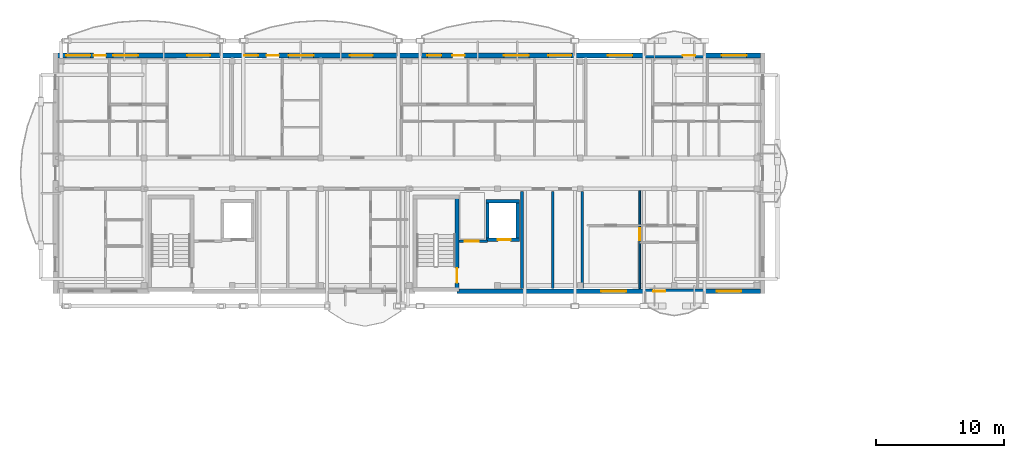
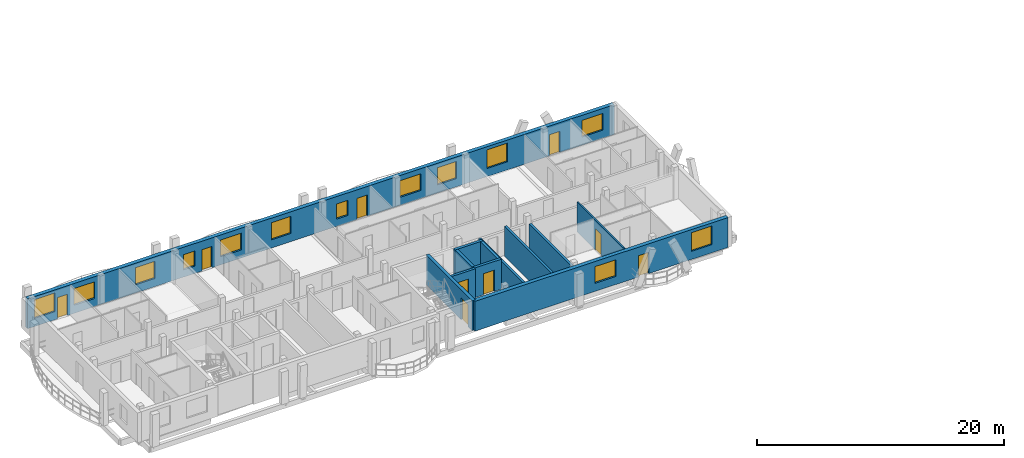
# One storey, part 22 of 44: 13 windows, 12 walls, 9 doors, 22 openings.
"""IFC4 building model written with IfcOpenShell, lengths in metres."""

from ifc_helpers import new_model, si_unit, direction, frame, frame_2d, origin, origin_with_axes, place, context, subcontext, project, spatial, rectangle, extrude, material, layer, layer_set, type_object, element, fill, save


model = new_model("IFC4")

# Units and contexts
model_context = context("Model", 3, precision=1e-05, world=origin(), true_north=direction((0.0, 1.0)))
body_context = subcontext(model_context, "Body", "Model", "MODEL_VIEW")
ifc_project = project(units=[si_unit("LENGTHUNIT", "METRE"), si_unit("AREAUNIT", "SQUARE_METRE"), si_unit("VOLUMEUNIT", "CUBIC_METRE"), si_unit("PLANEANGLEUNIT", "RADIAN"), si_unit("MASSUNIT", "GRAM", prefix="KILO")], contexts=[model_context])

# Site, building, storey
site_placement = place(None, origin())
site = spatial("IfcSite", under=ifc_project, at=site_placement, CompositionType="ELEMENT")
building_placement = place(site_placement, origin())
building = spatial("IfcBuilding", under=site, at=building_placement, Name="Zavelmont Quarter", CompositionType="ELEMENT")
storey_placement = place(building_placement, frame((0.0, 0.0, 20.800048828125)))
storey = spatial("IfcBuildingStorey", under=building, at=storey_placement, Name="L06", CompositionType="ELEMENT", Elevation=20.800048828125)

# Wall, openings, door, windows
ifc_material_1 = material(Name="Natural Belgian limestone", Category="masonry")
ifc_layer_1 = layer(ifc_material_1, 0.360107421875)
ifc_layer_set_1 = layer_set([ifc_layer_1], Name="Natural Belgian limestone")
wall_type_1 = type_object("IfcWallType", Name="EW02", PredefinedType="STANDARD", material=ifc_layer_set_1)
wall_1_placement = place(storey_placement, frame((31.35009765625, 97.60009765625, 0.0), z_axis=(0.0, 0.0, 1.0), x_axis=(1.0, 0.0, 0.0)))
wall_1 = element("IfcWall", 1, at=wall_1_placement, inside=storey, type_object=wall_type_1, Name="L06 exterior limestone wall EW02", PredefinedType="STANDARD", context=body_context, shape_type="SweptSolid", body=[
    extrude(rectangle(XDim=23.679931640625, YDim=0.360107421875, at=frame_2d((11.83984375, 0.0))), origin(), (0.0, 0.0, 1.0), 2.949951171875),
])
opening_1_placement = place(wall_1_placement, frame((15.304443359375, 0.0, 0.0)))
opening_1 = element("IfcOpeningElement", 2, at=opening_1_placement, cuts=wall_1, Name="Opening DR04", PredefinedType="OPENING", context=body_context, shape_type="SweptSolid", body=[
    extrude(rectangle(XDim=0.949951171875, YDim=2.10009765625, at=frame_2d((0.47509765625, 1.050048828125))), frame((0.0, 0.19189453125, 0.0), z_axis=(0.0, -1.0, 0.0), x_axis=(1.0, 0.0, 0.0)), (0.0, 0.0, 1.0), 0.384033203125),
])
opening_2_placement = place(wall_1_placement, frame((11.2451171875, 0.0, 0.800048828125)))
opening_2 = element("IfcOpeningElement", 3, at=opening_2_placement, cuts=wall_1, Name="Opening WN24", PredefinedType="OPENING", context=body_context, shape_type="SweptSolid", body=[
    extrude(rectangle(XDim=1.949951171875, YDim=1.64990234375, at=frame_2d((0.97509765625, 0.824951171875))), frame((0.0, 0.19189453125, 0.0), z_axis=(0.0, -1.0, 0.0), x_axis=(1.0, 0.0, 0.0)), (0.0, 0.0, 1.0), 0.384033203125),
])
opening_3_placement = place(wall_1_placement, frame((20.27001953125, 0.0, 0.800048828125)))
opening_3 = element("IfcOpeningElement", 4, at=opening_3_placement, cuts=wall_1, Name="Opening WN20", PredefinedType="OPENING", context=body_context, shape_type="SweptSolid", body=[
    extrude(rectangle(XDim=1.89990234375, YDim=1.85009765625, at=frame_2d((0.949951171875, 0.925048828125))), frame((0.0, 0.19189453125, 0.0), z_axis=(0.0, -1.0, 0.0), x_axis=(1.0, 0.0, 0.0)), (0.0, 0.0, 1.0), 0.384033203125),
])
ifc_material_2 = material(Name="Thermally broken aluminium and double safety glass", Category="aluminium")
door_type_1 = type_object("IfcDoorType", Name="DR04", OperationType="NOTDEFINED", PredefinedType="DOOR", material=ifc_material_2)
door_1_placement = place(opening_1_placement, origin_with_axes())
door_1 = element("IfcDoor", 5, at=door_1_placement, inside=storey, type_object=door_type_1, Name="Block B L06 glazed balcony door", OperationType="SINGLE_SWING_RIGHT", OverallHeight=2.10009765625, OverallWidth=0.949951171875, PredefinedType="DOOR", context=body_context, shape_type="SweptSolid", body=[
    extrude(rectangle(XDim=0.949951171875, YDim=2.10009765625, at=frame_2d((0.47509765625, 1.050048828125))), frame((0.0, 0.02490234375, 0.0), z_axis=(0.0, -1.0, 0.0), x_axis=(1.0, 0.0, 0.0)), (0.0, 0.0, 1.0), 0.050048828125),
])
fill(opening_1, door_1)
ifc_material_3 = material(Name="Double low-E insulated glazing in thermally broken aluminium frame", Category="aluminium")
window_type_1 = type_object("IfcWindowType", Name="WN20", PartitioningType="SINGLE_PANEL", PredefinedType="WINDOW", material=ifc_material_3)
window_1_placement = place(opening_3_placement, origin_with_axes())
window_1 = element("IfcWindow", 6, at=window_1_placement, inside=storey, type_object=window_type_1, Name="L06 window WN20", OverallHeight=1.85009765625, OverallWidth=1.89990234375, PartitioningType="SINGLE_PANEL", PredefinedType="WINDOW", context=body_context, shape_type="SweptSolid", body=[
    extrude(rectangle(XDim=1.89990234375, YDim=1.85009765625, at=frame_2d((0.949951171875, 0.925048828125))), frame((0.0, 0.030029296875, 0.0), z_axis=(0.0, -1.0, 0.0), x_axis=(1.0, 0.0, 0.0)), (0.0, 0.0, 1.0), 0.06005859375),
])
fill(opening_3, window_1)
window_type_2 = type_object("IfcWindowType", Name="WN24", PartitioningType="SINGLE_PANEL", PredefinedType="WINDOW", material=ifc_material_3)
window_2_placement = place(opening_2_placement, origin_with_axes())
window_2 = element("IfcWindow", 7, at=window_2_placement, inside=storey, type_object=window_type_2, Name="L06 window WN24", OverallHeight=1.64990234375, OverallWidth=1.949951171875, PartitioningType="SINGLE_PANEL", PredefinedType="WINDOW", context=body_context, shape_type="SweptSolid", body=[
    extrude(rectangle(XDim=1.949951171875, YDim=1.64990234375, at=frame_2d((0.97509765625, 0.824951171875))), frame((0.0, 0.030029296875, 0.0), z_axis=(0.0, -1.0, 0.0), x_axis=(1.0, 0.0, 0.0)), (0.0, 0.0, 1.0), 0.06005859375),
])
fill(opening_2, window_2)

# Wall, openings, doors, windows
wall_2_placement = place(storey_placement, frame((0.169921875, 116.0, 0.0), z_axis=(0.0, 0.0, 1.0), x_axis=(1.0, 0.0, 0.0)))
wall_2 = element("IfcWall", 8, at=wall_2_placement, inside=storey, type_object=wall_type_1, Name="L06 exterior limestone wall EW02", PredefinedType="STANDARD", context=body_context, shape_type="SweptSolid", body=[
    extrude(rectangle(XDim=54.860107421875, YDim=0.360107421875, at=frame_2d((27.43017578125, 0.0))), origin(), (0.0, 0.0, 1.0), 2.949951171875),
])
opening_4_placement = place(wall_2_placement, frame((2.804443359375, 0.0, 0.0)))
opening_4 = element("IfcOpeningElement", 9, at=opening_4_placement, cuts=wall_2, Name="Opening DR04", PredefinedType="OPENING", context=body_context, shape_type="SweptSolid", body=[
    extrude(rectangle(XDim=0.949951171875, YDim=2.10009765625, at=frame_2d((0.47509765625, 1.050048828125))), frame((0.0, 0.19189453125, 0.0), z_axis=(0.0, -1.0, 0.0), x_axis=(1.0, 0.0, 0.0)), (0.0, 0.0, 1.0), 0.384033203125),
])
opening_5_placement = place(wall_2_placement, frame((16.304443359375, 0.0, 0.0)))
opening_5 = element("IfcOpeningElement", 10, at=opening_5_placement, cuts=wall_2, Name="Opening DR04", PredefinedType="OPENING", context=body_context, shape_type="SweptSolid", body=[
    extrude(rectangle(XDim=0.949951171875, YDim=2.10009765625, at=frame_2d((0.47509765625, 1.050048828125))), frame((0.0, 0.19189453125, 0.0), z_axis=(0.0, -1.0, 0.0), x_axis=(1.0, 0.0, 0.0)), (0.0, 0.0, 1.0), 0.384033203125),
])
opening_6_placement = place(wall_2_placement, frame((30.804443359375, 0.0, 0.0)))
opening_6 = element("IfcOpeningElement", 11, at=opening_6_placement, cuts=wall_2, Name="Opening DR04", PredefinedType="OPENING", context=body_context, shape_type="SweptSolid", body=[
    extrude(rectangle(XDim=0.949951171875, YDim=2.10009765625, at=frame_2d((0.47509765625, 1.050048828125))), frame((0.0, 0.19189453125, 0.0), z_axis=(0.0, -1.0, 0.0), x_axis=(1.0, 0.0, 0.0)), (0.0, 0.0, 1.0), 0.384033203125),
])
opening_7_placement = place(wall_2_placement, frame((48.800048828125, 0.0, 0.0)))
opening_7 = element("IfcOpeningElement", 12, at=opening_7_placement, cuts=wall_2, Name="Opening DR04", PredefinedType="OPENING", context=body_context, shape_type="SweptSolid", body=[
    extrude(rectangle(XDim=0.949951171875, YDim=2.10009765625, at=frame_2d((0.47509765625, 1.050048828125))), frame((0.0, 0.19189453125, 0.0), z_axis=(0.0, -1.0, 0.0), x_axis=(1.0, 0.0, 0.0)), (0.0, 0.0, 1.0), 0.384033203125),
])
opening_8_placement = place(wall_2_placement, frame((0.64990234375, 0.0, 0.800048828125)))
opening_8 = element("IfcOpeningElement", 13, at=opening_8_placement, cuts=wall_2, Name="Opening WN20", PredefinedType="OPENING", context=body_context, shape_type="SweptSolid", body=[
    extrude(rectangle(XDim=1.89990234375, YDim=1.85009765625, at=frame_2d((0.949951171875, 0.925048828125))), frame((0.0, 0.19189453125, 0.0), z_axis=(0.0, -1.0, 0.0), x_axis=(1.0, 0.0, 0.0)), (0.0, 0.0, 1.0), 0.384033203125),
])
opening_9_placement = place(wall_2_placement, frame((4.324951171875, 0.0, 0.800048828125)))
opening_9 = element("IfcOpeningElement", 14, at=opening_9_placement, cuts=wall_2, Name="Opening WN24", PredefinedType="OPENING", context=body_context, shape_type="SweptSolid", body=[
    extrude(rectangle(XDim=1.949951171875, YDim=1.64990234375, at=frame_2d((0.97509765625, 0.824951171875))), frame((0.0, 0.19189453125, 0.0), z_axis=(0.0, -1.0, 0.0), x_axis=(1.0, 0.0, 0.0)), (0.0, 0.0, 1.0), 0.384033203125),
])
opening_10_placement = place(wall_2_placement, frame((10.10009765625, 0.0, 0.800048828125)))
opening_10 = element("IfcOpeningElement", 15, at=opening_10_placement, cuts=wall_2, Name="Opening WN02", PredefinedType="OPENING", context=body_context, shape_type="SweptSolid", body=[
    extrude(rectangle(XDim=1.800048828125, YDim=1.699951171875, at=frame_2d((0.89990234375, 0.85009765625))), frame((0.0, 0.19189453125, 0.0), z_axis=(0.0, -1.0, 0.0), x_axis=(1.0, 0.0, 0.0)), (0.0, 0.0, 1.0), 0.384033203125),
])
opening_11_placement = place(wall_2_placement, frame((14.550048828125, 0.0, 0.719970703125)))
opening_11 = element("IfcOpeningElement", 16, at=opening_11_placement, cuts=wall_2, Name="Opening WN09", PredefinedType="OPENING", context=body_context, shape_type="SweptSolid", body=[
    extrude(rectangle(XDim=1.10009765625, YDim=1.5, at=frame_2d((0.550048828125, 0.75))), frame((0.0, 0.19189453125, 0.0), z_axis=(0.0, -1.0, 0.0), x_axis=(1.0, 0.0, 0.0)), (0.0, 0.0, 1.0), 0.384033203125),
])
opening_12_placement = place(wall_2_placement, frame((18.02490234375, 0.0, 0.800048828125)))
opening_12 = element("IfcOpeningElement", 17, at=opening_12_placement, cuts=wall_2, Name="Opening WN24", PredefinedType="OPENING", context=body_context, shape_type="SweptSolid", body=[
    extrude(rectangle(XDim=1.949951171875, YDim=1.64990234375, at=frame_2d((0.97509765625, 0.824951171875))), frame((0.0, 0.19189453125, 0.0), z_axis=(0.0, -1.0, 0.0), x_axis=(1.0, 0.0, 0.0)), (0.0, 0.0, 1.0), 0.384033203125),
])
opening_13_placement = place(wall_2_placement, frame((22.800048828125, 0.0, 0.800048828125)))
opening_13 = element("IfcOpeningElement", 18, at=opening_13_placement, cuts=wall_2, Name="Opening WN02", PredefinedType="OPENING", context=body_context, shape_type="SweptSolid", body=[
    extrude(rectangle(XDim=1.800048828125, YDim=1.699951171875, at=frame_2d((0.89990234375, 0.85009765625))), frame((0.0, 0.19189453125, 0.0), z_axis=(0.0, -1.0, 0.0), x_axis=(1.0, 0.0, 0.0)), (0.0, 0.0, 1.0), 0.384033203125),
])
opening_14_placement = place(wall_2_placement, frame((28.85009765625, 0.0, 0.719970703125)))
opening_14 = element("IfcOpeningElement", 19, at=opening_14_placement, cuts=wall_2, Name="Opening WN09", PredefinedType="OPENING", context=body_context, shape_type="SweptSolid", body=[
    extrude(rectangle(XDim=1.10009765625, YDim=1.5, at=frame_2d((0.550048828125, 0.75))), frame((0.0, 0.19189453125, 0.0), z_axis=(0.0, -1.0, 0.0), x_axis=(1.0, 0.0, 0.0)), (0.0, 0.0, 1.0), 0.384033203125),
])
opening_15_placement = place(wall_2_placement, frame((34.824951171875, 0.0, 0.800048828125)))
opening_15 = element("IfcOpeningElement", 20, at=opening_15_placement, cuts=wall_2, Name="Opening WN24", PredefinedType="OPENING", context=body_context, shape_type="SweptSolid", body=[
    extrude(rectangle(XDim=1.949951171875, YDim=1.64990234375, at=frame_2d((0.97509765625, 0.824951171875))), frame((0.0, 0.19189453125, 0.0), z_axis=(0.0, -1.0, 0.0), x_axis=(1.0, 0.0, 0.0)), (0.0, 0.0, 1.0), 0.384033203125),
])
opening_16_placement = place(wall_2_placement, frame((38.300048828125, 0.0, 0.800048828125)))
opening_16 = element("IfcOpeningElement", 21, at=opening_16_placement, cuts=wall_2, Name="Opening WN02", PredefinedType="OPENING", context=body_context, shape_type="SweptSolid", body=[
    extrude(rectangle(XDim=1.800048828125, YDim=1.699951171875, at=frame_2d((0.89990234375, 0.85009765625))), frame((0.0, 0.19189453125, 0.0), z_axis=(0.0, -1.0, 0.0), x_axis=(1.0, 0.0, 0.0)), (0.0, 0.0, 1.0), 0.384033203125),
])
opening_17_placement = place(wall_2_placement, frame((42.949951171875, 0.0, 0.800048828125)))
opening_17 = element("IfcOpeningElement", 22, at=opening_17_placement, cuts=wall_2, Name="Opening WN20", PredefinedType="OPENING", context=body_context, shape_type="SweptSolid", body=[
    extrude(rectangle(XDim=1.89990234375, YDim=1.85009765625, at=frame_2d((0.949951171875, 0.925048828125))), frame((0.0, 0.19189453125, 0.0), z_axis=(0.0, -1.0, 0.0), x_axis=(1.0, 0.0, 0.0)), (0.0, 0.0, 1.0), 0.384033203125),
])
opening_18_placement = place(wall_2_placement, frame((51.824951171875, 0.0, 0.800048828125)))
opening_18 = element("IfcOpeningElement", 23, at=opening_18_placement, cuts=wall_2, Name="Opening WN24", PredefinedType="OPENING", context=body_context, shape_type="SweptSolid", body=[
    extrude(rectangle(XDim=1.949951171875, YDim=1.64990234375, at=frame_2d((0.97509765625, 0.824951171875))), frame((0.0, 0.19189453125, 0.0), z_axis=(0.0, -1.0, 0.0), x_axis=(1.0, 0.0, 0.0)), (0.0, 0.0, 1.0), 0.384033203125),
])
door_2_placement = place(opening_4_placement, frame((0.949951171875, 0.0, 0.0), z_axis=(0.0, 0.0, 1.0), x_axis=(-1.0, 0.0, 0.0)))
door_2 = element("IfcDoor", 24, at=door_2_placement, inside=storey, type_object=door_type_1, Name="Block B L06 glazed balcony door", OperationType="SINGLE_SWING_LEFT", OverallHeight=2.10009765625, OverallWidth=0.949951171875, PredefinedType="DOOR", context=body_context, shape_type="SweptSolid", body=[
    extrude(rectangle(XDim=0.949951171875, YDim=2.10009765625, at=frame_2d((0.47509765625, 1.050048828125))), frame((0.0, 0.02490234375, 0.0), z_axis=(0.0, -1.0, 0.0), x_axis=(1.0, 0.0, 0.0)), (0.0, 0.0, 1.0), 0.050048828125),
])
fill(opening_4, door_2)
door_3_placement = place(opening_5_placement, frame((0.949951171875, 0.0, 0.0), z_axis=(0.0, 0.0, 1.0), x_axis=(-1.0, 0.0, 0.0)))
door_3 = element("IfcDoor", 25, at=door_3_placement, inside=storey, type_object=door_type_1, Name="Block B L06 glazed balcony door", OperationType="SINGLE_SWING_LEFT", OverallHeight=2.10009765625, OverallWidth=0.949951171875, PredefinedType="DOOR", context=body_context, shape_type="SweptSolid", body=[
    extrude(rectangle(XDim=0.949951171875, YDim=2.10009765625, at=frame_2d((0.47509765625, 1.050048828125))), frame((0.0, 0.02490234375, 0.0), z_axis=(0.0, -1.0, 0.0), x_axis=(1.0, 0.0, 0.0)), (0.0, 0.0, 1.0), 0.050048828125),
])
fill(opening_5, door_3)
door_4_placement = place(opening_6_placement, frame((0.949951171875, 0.0, 0.0), z_axis=(0.0, 0.0, 1.0), x_axis=(-1.0, 0.0, 0.0)))
door_4 = element("IfcDoor", 26, at=door_4_placement, inside=storey, type_object=door_type_1, Name="Block B L06 glazed balcony door", OperationType="SINGLE_SWING_LEFT", OverallHeight=2.10009765625, OverallWidth=0.949951171875, PredefinedType="DOOR", context=body_context, shape_type="SweptSolid", body=[
    extrude(rectangle(XDim=0.949951171875, YDim=2.10009765625, at=frame_2d((0.47509765625, 1.050048828125))), frame((0.0, 0.02490234375, 0.0), z_axis=(0.0, -1.0, 0.0), x_axis=(1.0, 0.0, 0.0)), (0.0, 0.0, 1.0), 0.050048828125),
])
fill(opening_6, door_4)
door_5_placement = place(opening_7_placement, frame((0.949951171875, 0.0, 0.0), z_axis=(0.0, 0.0, 1.0), x_axis=(-1.0, 0.0, 0.0)))
door_5 = element("IfcDoor", 27, at=door_5_placement, inside=storey, type_object=door_type_1, Name="Block B L06 glazed balcony door", OperationType="SINGLE_SWING_RIGHT", OverallHeight=2.10009765625, OverallWidth=0.949951171875, PredefinedType="DOOR", context=body_context, shape_type="SweptSolid", body=[
    extrude(rectangle(XDim=0.949951171875, YDim=2.10009765625, at=frame_2d((0.47509765625, 1.050048828125))), frame((0.0, 0.02490234375, 0.0), z_axis=(0.0, -1.0, 0.0), x_axis=(1.0, 0.0, 0.0)), (0.0, 0.0, 1.0), 0.050048828125),
])
fill(opening_7, door_5)
window_type_3 = type_object("IfcWindowType", Name="WN02", PartitioningType="SINGLE_PANEL", PredefinedType="WINDOW", material=ifc_material_3)
window_3_placement = place(opening_10_placement, origin_with_axes())
window_3 = element("IfcWindow", 28, at=window_3_placement, inside=storey, type_object=window_type_3, Name="L06 window WN02", OverallHeight=1.699951171875, OverallWidth=1.800048828125, PartitioningType="SINGLE_PANEL", PredefinedType="WINDOW", context=body_context, shape_type="SweptSolid", body=[
    extrude(rectangle(XDim=1.800048828125, YDim=1.699951171875, at=frame_2d((0.89990234375, 0.85009765625))), frame((0.0, 0.030029296875, 0.0), z_axis=(0.0, -1.0, 0.0), x_axis=(1.0, 0.0, 0.0)), (0.0, 0.0, 1.0), 0.06005859375),
])
fill(opening_10, window_3)
window_4_placement = place(opening_13_placement, origin_with_axes())
window_4 = element("IfcWindow", 29, at=window_4_placement, inside=storey, type_object=window_type_3, Name="L06 window WN02", OverallHeight=1.699951171875, OverallWidth=1.800048828125, PartitioningType="SINGLE_PANEL", PredefinedType="WINDOW", context=body_context, shape_type="SweptSolid", body=[
    extrude(rectangle(XDim=1.800048828125, YDim=1.699951171875, at=frame_2d((0.89990234375, 0.85009765625))), frame((0.0, 0.030029296875, 0.0), z_axis=(0.0, -1.0, 0.0), x_axis=(1.0, 0.0, 0.0)), (0.0, 0.0, 1.0), 0.06005859375),
])
fill(opening_13, window_4)
window_5_placement = place(opening_16_placement, origin_with_axes())
window_5 = element("IfcWindow", 30, at=window_5_placement, inside=storey, type_object=window_type_3, Name="L06 window WN02", OverallHeight=1.699951171875, OverallWidth=1.800048828125, PartitioningType="SINGLE_PANEL", PredefinedType="WINDOW", context=body_context, shape_type="SweptSolid", body=[
    extrude(rectangle(XDim=1.800048828125, YDim=1.699951171875, at=frame_2d((0.89990234375, 0.85009765625))), frame((0.0, 0.030029296875, 0.0), z_axis=(0.0, -1.0, 0.0), x_axis=(1.0, 0.0, 0.0)), (0.0, 0.0, 1.0), 0.06005859375),
])
fill(opening_16, window_5)
window_type_4 = type_object("IfcWindowType", Name="WN09", PartitioningType="SINGLE_PANEL", PredefinedType="WINDOW", material=ifc_material_3)
window_6_placement = place(opening_11_placement, origin_with_axes())
window_6 = element("IfcWindow", 31, at=window_6_placement, inside=storey, type_object=window_type_4, Name="L06 window WN09", OverallHeight=1.5, OverallWidth=1.10009765625, PartitioningType="SINGLE_PANEL", PredefinedType="WINDOW", context=body_context, shape_type="SweptSolid", body=[
    extrude(rectangle(XDim=1.10009765625, YDim=1.5, at=frame_2d((0.550048828125, 0.75))), frame((0.0, 0.030029296875, 0.0), z_axis=(0.0, -1.0, 0.0), x_axis=(1.0, 0.0, 0.0)), (0.0, 0.0, 1.0), 0.06005859375),
])
fill(opening_11, window_6)
window_7_placement = place(opening_14_placement, origin_with_axes())
window_7 = element("IfcWindow", 32, at=window_7_placement, inside=storey, type_object=window_type_4, Name="L06 window WN09", OverallHeight=1.5, OverallWidth=1.10009765625, PartitioningType="SINGLE_PANEL", PredefinedType="WINDOW", context=body_context, shape_type="SweptSolid", body=[
    extrude(rectangle(XDim=1.10009765625, YDim=1.5, at=frame_2d((0.550048828125, 0.75))), frame((0.0, 0.030029296875, 0.0), z_axis=(0.0, -1.0, 0.0), x_axis=(1.0, 0.0, 0.0)), (0.0, 0.0, 1.0), 0.06005859375),
])
fill(opening_14, window_7)
window_8_placement = place(opening_8_placement, origin_with_axes())
window_8 = element("IfcWindow", 33, at=window_8_placement, inside=storey, type_object=window_type_1, Name="L06 window WN20", OverallHeight=1.85009765625, OverallWidth=1.89990234375, PartitioningType="SINGLE_PANEL", PredefinedType="WINDOW", context=body_context, shape_type="SweptSolid", body=[
    extrude(rectangle(XDim=1.89990234375, YDim=1.85009765625, at=frame_2d((0.949951171875, 0.925048828125))), frame((0.0, 0.030029296875, 0.0), z_axis=(0.0, -1.0, 0.0), x_axis=(1.0, 0.0, 0.0)), (0.0, 0.0, 1.0), 0.06005859375),
])
fill(opening_8, window_8)
window_9_placement = place(opening_17_placement, origin_with_axes())
window_9 = element("IfcWindow", 34, at=window_9_placement, inside=storey, type_object=window_type_1, Name="L06 window WN20", OverallHeight=1.85009765625, OverallWidth=1.89990234375, PartitioningType="SINGLE_PANEL", PredefinedType="WINDOW", context=body_context, shape_type="SweptSolid", body=[
    extrude(rectangle(XDim=1.89990234375, YDim=1.85009765625, at=frame_2d((0.949951171875, 0.925048828125))), frame((0.0, 0.030029296875, 0.0), z_axis=(0.0, -1.0, 0.0), x_axis=(1.0, 0.0, 0.0)), (0.0, 0.0, 1.0), 0.06005859375),
])
fill(opening_17, window_9)
window_10_placement = place(opening_9_placement, origin_with_axes())
window_10 = element("IfcWindow", 35, at=window_10_placement, inside=storey, type_object=window_type_2, Name="L06 window WN24", OverallHeight=1.64990234375, OverallWidth=1.949951171875, PartitioningType="SINGLE_PANEL", PredefinedType="WINDOW", context=body_context, shape_type="SweptSolid", body=[
    extrude(rectangle(XDim=1.949951171875, YDim=1.64990234375, at=frame_2d((0.97509765625, 0.824951171875))), frame((0.0, 0.030029296875, 0.0), z_axis=(0.0, -1.0, 0.0), x_axis=(1.0, 0.0, 0.0)), (0.0, 0.0, 1.0), 0.06005859375),
])
fill(opening_9, window_10)
window_11_placement = place(opening_12_placement, origin_with_axes())
window_11 = element("IfcWindow", 36, at=window_11_placement, inside=storey, type_object=window_type_2, Name="L06 window WN24", OverallHeight=1.64990234375, OverallWidth=1.949951171875, PartitioningType="SINGLE_PANEL", PredefinedType="WINDOW", context=body_context, shape_type="SweptSolid", body=[
    extrude(rectangle(XDim=1.949951171875, YDim=1.64990234375, at=frame_2d((0.97509765625, 0.824951171875))), frame((0.0, 0.030029296875, 0.0), z_axis=(0.0, -1.0, 0.0), x_axis=(1.0, 0.0, 0.0)), (0.0, 0.0, 1.0), 0.06005859375),
])
fill(opening_12, window_11)
window_12_placement = place(opening_15_placement, origin_with_axes())
window_12 = element("IfcWindow", 37, at=window_12_placement, inside=storey, type_object=window_type_2, Name="L06 window WN24", OverallHeight=1.64990234375, OverallWidth=1.949951171875, PartitioningType="SINGLE_PANEL", PredefinedType="WINDOW", context=body_context, shape_type="SweptSolid", body=[
    extrude(rectangle(XDim=1.949951171875, YDim=1.64990234375, at=frame_2d((0.97509765625, 0.824951171875))), frame((0.0, 0.030029296875, 0.0), z_axis=(0.0, -1.0, 0.0), x_axis=(1.0, 0.0, 0.0)), (0.0, 0.0, 1.0), 0.06005859375),
])
fill(opening_15, window_12)
window_13_placement = place(opening_18_placement, origin_with_axes())
window_13 = element("IfcWindow", 38, at=window_13_placement, inside=storey, type_object=window_type_2, Name="L06 window WN24", OverallHeight=1.64990234375, OverallWidth=1.949951171875, PartitioningType="SINGLE_PANEL", PredefinedType="WINDOW", context=body_context, shape_type="SweptSolid", body=[
    extrude(rectangle(XDim=1.949951171875, YDim=1.64990234375, at=frame_2d((0.97509765625, 0.824951171875))), frame((0.0, 0.030029296875, 0.0), z_axis=(0.0, -1.0, 0.0), x_axis=(1.0, 0.0, 0.0)), (0.0, 0.0, 1.0), 0.06005859375),
])
fill(opening_18, window_13)

# Walls
ifc_material_4 = material(Name="Calcium-silicate blockwork and acoustic plaster", Category="masonry")
ifc_layer_2 = layer(ifc_material_4, 0.199951171875)
ifc_layer_set_2 = layer_set([ifc_layer_2], Name="Calcium-silicate blockwork and acoustic plaster")
wall_type_2 = type_object("IfcWallType", Name="IW01", PredefinedType="PARTITIONING", material=ifc_layer_set_2)
wall_3_placement = place(storey_placement, frame((38.824951171875, 97.800048828125, 0.0), z_axis=(0.0, 0.0, 1.0), x_axis=(0.0, 1.0, 0.0)))
element("IfcWall", 39, at=wall_3_placement, inside=storey, type_object=wall_type_2, Name="L06 Service riser divider wall IW01", PredefinedType="PARTITIONING", context=body_context, shape_type="SweptSolid", body=[
    extrude(rectangle(XDim=7.599853515625, YDim=0.199951171875, at=frame_2d((3.7998046875, 0.0))), origin(), (0.0, 0.0, 1.0), 2.949951171875),
])
wall_4_placement = place(storey_placement, frame((41.1201171875, 97.800048828125, 0.0), z_axis=(0.0, 0.0, 1.0), x_axis=(0.0, 1.0, 0.0)))
element("IfcWall", 40, at=wall_4_placement, inside=storey, type_object=wall_type_2, Name="L06 Core service end wall IW01", PredefinedType="PARTITIONING", context=body_context, shape_type="SweptSolid", body=[
    extrude(rectangle(XDim=7.599853515625, YDim=0.199951171875, at=frame_2d((3.7998046875, 0.0))), origin(), (0.0, 0.0, 1.0), 2.389892578125),
])
ifc_material_5 = material(Name="Reinforced masonry fire compartment wall", Category="masonry")
ifc_layer_3 = layer(ifc_material_5, 0.22509765625)
ifc_layer_set_3 = layer_set([ifc_layer_3], Name="Reinforced masonry fire compartment wall")
wall_type_3 = type_object("IfcWallType", Name="IW02", PredefinedType="PARTITIONING", material=ifc_layer_set_3)
wall_5_placement = place(storey_placement, frame((36.409912109375, 97.800048828125, 0.0), z_axis=(0.0, 0.0, 1.0), x_axis=(0.0, 1.0, 0.0)))
element("IfcWall", 41, at=wall_5_placement, inside=storey, type_object=wall_type_3, Name="L06 Firefighting lobby enclosure wall IW02", PredefinedType="PARTITIONING", context=body_context, shape_type="SweptSolid", body=[
    extrude(rectangle(XDim=7.599853515625, YDim=0.22509765625, at=frame_2d((3.7998046875, 0.0))), origin(), (0.0, 0.0, 1.0), 2.58984375),
])

# Wall, opening, door
wall_6_placement = place(storey_placement, frame((31.5, 101.5, 0.0), z_axis=(0.0, 0.0, 1.0), x_axis=(1.0, 0.0, 0.0)))
wall_6 = element("IfcWall", 42, at=wall_6_placement, inside=storey, type_object=wall_type_3, Name="L06 Firefighting lobby threshold wall IW02", PredefinedType="PARTITIONING", context=body_context, shape_type="SweptSolid", body=[
    extrude(rectangle(XDim=2.199951171875, YDim=0.22509765625, at=frame_2d((1.10009765625, 0.0))), origin(), (0.0, 0.0, 1.0), 2.949951171875),
])
opening_19_placement = place(wall_6_placement, frame((0.449951171875, 0.0, 0.0)))
opening_19 = element("IfcOpeningElement", 43, at=opening_19_placement, cuts=wall_6, Name="Opening DR10", PredefinedType="OPENING", context=body_context, shape_type="SweptSolid", body=[
    extrude(rectangle(XDim=1.10009765625, YDim=2.14990234375, at=frame_2d((0.550048828125, 1.074951171875))), frame((0.0, 0.12451171875, 0.0), z_axis=(0.0, -1.0, 0.0), x_axis=(1.0, 0.0, 0.0)), (0.0, 0.0, 1.0), 0.2490234375),
])
ifc_material_6 = material(Name="Painted steel lobby fire door", Category="steel")
door_type_2 = type_object("IfcDoorType", Name="DR10", OperationType="NOTDEFINED", PredefinedType="DOOR", material=ifc_material_6)
door_6_placement = place(opening_19_placement, frame((1.10009765625, 0.0, 0.0), z_axis=(0.0, 0.0, 1.0), x_axis=(-1.0, 0.0, 0.0)))
door_6 = element("IfcDoor", 44, at=door_6_placement, inside=storey, type_object=door_type_2, Name="Firefighting lobby fire door", OperationType="SINGLE_SWING_LEFT", OverallHeight=2.14990234375, OverallWidth=1.10009765625, PredefinedType="DOOR", context=body_context, shape_type="SweptSolid", body=[
    extrude(rectangle(XDim=1.10009765625, YDim=2.14990234375, at=frame_2d((0.550048828125, 1.074951171875))), frame((0.0, 0.02490234375, 0.0), z_axis=(0.0, -1.0, 0.0), x_axis=(1.0, 0.0, 0.0)), (0.0, 0.0, 1.0), 0.050048828125),
])
fill(opening_19, door_6)

ifc_material_7 = material(Name="Double gypsum board on acoustic steel stud", Category="steel")
ifc_layer_4 = layer(ifc_material_7, 0.125)
ifc_layer_set_4 = layer_set([ifc_layer_4], Name="Double gypsum board on acoustic steel stud")
wall_type_4 = type_object("IfcWallType", Name="IW03", PredefinedType="PARTITIONING", material=ifc_layer_set_4)
wall_7_placement = place(storey_placement, frame((45.60009765625, 105.449951171875, 0.0), z_axis=(0.0, 0.0, 1.0), x_axis=(0.0, -1.0, 0.0)))
wall_7 = element("IfcWall", 45, at=wall_7_placement, inside=storey, type_object=wall_type_4, Name="L06 Partition IW03", PredefinedType="PARTITIONING", context=body_context, shape_type="SweptSolid", body=[
    extrude(rectangle(XDim=7.64990234375, YDim=0.125, at=frame_2d((3.824951171875, 0.0))), origin(), (0.0, 0.0, 1.0), 2.949951171875),
])
opening_20_placement = place(wall_7_placement, frame((2.949951171875, 0.0, 0.0)))
opening_20 = element("IfcOpeningElement", 46, at=opening_20_placement, cuts=wall_7, Name="Opening DR05", PredefinedType="OPENING", context=body_context, shape_type="SweptSolid", body=[
    extrude(rectangle(XDim=0.89990234375, YDim=2.10009765625, at=frame_2d((0.449951171875, 1.050048828125))), frame((0.0, 0.074462890625, 0.0), z_axis=(0.0, -1.0, 0.0), x_axis=(1.0, 0.0, 0.0)), (0.0, 0.0, 1.0), 0.14892578125),
])
ifc_material_8 = material(Name="Engineered oak flush interior door")
door_type_3 = type_object("IfcDoorType", Name="DR05", OperationType="NOTDEFINED", PredefinedType="DOOR", material=ifc_material_8)
door_7_placement = place(opening_20_placement, origin_with_axes())
door_7 = element("IfcDoor", 47, at=door_7_placement, inside=storey, type_object=door_type_3, Name="L06 door DR05", OperationType="SINGLE_SWING_RIGHT", OverallHeight=2.10009765625, OverallWidth=0.89990234375, PredefinedType="DOOR", context=body_context, shape_type="SweptSolid", body=[
    extrude(rectangle(XDim=0.89990234375, YDim=2.10009765625, at=frame_2d((0.449951171875, 1.050048828125))), frame((0.0, 0.02490234375, 0.0), z_axis=(0.0, -1.0, 0.0), x_axis=(1.0, 0.0, 0.0)), (0.0, 0.0, 1.0), 0.050048828125),
])
fill(opening_20, door_7)

ifc_material_9 = material(Name="Concrete C40/50", Category="concrete")
ifc_layer_5 = layer(ifc_material_9, 0.300048828125)
ifc_layer_set_5 = layer_set([ifc_layer_5], Name="Concrete C40/50")
wall_type_5 = type_object("IfcWallType", Name="SW01", PredefinedType="SHEAR", material=ifc_layer_set_5)
wall_8_placement = place(storey_placement, frame((31.35009765625, 97.60009765625, 0.0), z_axis=(0.0, 0.0, 1.0), x_axis=(0.0, 1.0, 0.0)))
wall_8 = element("IfcWall", 48, at=wall_8_placement, inside=storey, type_object=wall_type_5, Name="L06 ST04 lobby shear wall SW01", PredefinedType="SHEAR", context=body_context, shape_type="SweptSolid", body=[
    extrude(rectangle(XDim=7.5, YDim=0.300048828125, at=frame_2d((3.75, 0.0))), origin(), (0.0, 0.0, 1.0), 2.949951171875),
])
opening_21_placement = place(wall_8_placement, frame((0.64990234375, 0.0, 0.0)))
opening_21 = element("IfcOpeningElement", 49, at=opening_21_placement, cuts=wall_8, Name="Opening DR09", PredefinedType="OPENING", context=body_context, shape_type="SweptSolid", body=[
    extrude(rectangle(XDim=1.14990234375, YDim=2.14990234375, at=frame_2d((0.574951171875, 1.074951171875))), frame((0.0, 0.162109375, 0.0), z_axis=(0.0, -1.0, 0.0), x_axis=(1.0, 0.0, 0.0)), (0.0, 0.0, 1.0), 0.323974609375),
])
ifc_material_10 = material(Name="Painted steel stair-core fire door", Category="steel")
door_type_4 = type_object("IfcDoorType", Name="DR09", OperationType="NOTDEFINED", PredefinedType="DOOR", material=ifc_material_10)
door_8_placement = place(opening_21_placement, origin_with_axes())
door_8 = element("IfcDoor", 50, at=door_8_placement, inside=storey, type_object=door_type_4, Name="ST04 protected stair door", OperationType="SINGLE_SWING_RIGHT", OverallHeight=2.14990234375, OverallWidth=1.14990234375, PredefinedType="DOOR", context=body_context, shape_type="SweptSolid", body=[
    extrude(rectangle(XDim=1.14990234375, YDim=2.14990234375, at=frame_2d((0.574951171875, 1.074951171875))), frame((0.0, 0.02490234375, 0.0), z_axis=(0.0, -1.0, 0.0), x_axis=(1.0, 0.0, 0.0)), (0.0, 0.0, 1.0), 0.050048828125),
])
fill(opening_21, door_8)

ifc_layer_6 = layer(ifc_material_9, 0.25)
ifc_layer_set_6 = layer_set([ifc_layer_6], Name="Concrete C40/50")
wall_type_6 = type_object("IfcWallType", Name="SW02", PredefinedType="SHEAR", material=ifc_layer_set_6)
wall_9_placement = place(storey_placement, frame((33.60009765625, 101.625, 0.0), z_axis=(0.0, 0.0, 1.0), x_axis=(1.0, 0.0, 0.0)))
wall_9 = element("IfcWall", 51, at=wall_9_placement, inside=storey, type_object=wall_type_6, Name="L06 Lift LF04 landing shaft wall SW02", PredefinedType="SHEAR", context=body_context, shape_type="SweptSolid", body=[
    extrude(rectangle(XDim=2.599853515625, YDim=0.25, at=frame_2d((1.2998046875, 0.0))), origin(), (0.0, 0.0, 1.0), 2.949951171875),
])
opening_22_placement = place(wall_9_placement, frame((0.925048828125, 0.0, 0.0)))
opening_22 = element("IfcOpeningElement", 52, at=opening_22_placement, cuts=wall_9, Name="Opening LD01", PredefinedType="OPENING", context=body_context, shape_type="SweptSolid", body=[
    extrude(rectangle(XDim=1.0, YDim=2.10009765625, at=frame_2d((0.5, 1.050048828125))), frame((0.0, 0.136962890625, 0.0), z_axis=(0.0, -1.0, 0.0), x_axis=(1.0, 0.0, 0.0)), (0.0, 0.0, 1.0), 0.27392578125),
])
ifc_material_11 = material(Name="Brushed stainless-steel automatic sliding landing door", Category="steel")
door_type_5 = type_object("IfcDoorType", Name="LD01", OperationType="SLIDING_TO_LEFT", PredefinedType="DOOR", material=ifc_material_11)
door_9_placement = place(opening_22_placement, origin_with_axes())
door_9 = element("IfcDoor", 53, at=door_9_placement, inside=storey, type_object=door_type_5, Name="Lift LF04 sliding landing door", OperationType="SLIDING_TO_LEFT", OverallHeight=2.10009765625, OverallWidth=1.0, PredefinedType="DOOR", context=body_context, shape_type="SweptSolid", body=[
    extrude(rectangle(XDim=1.0, YDim=2.10009765625, at=frame_2d((0.5, 1.050048828125))), frame((0.0, 0.02490234375, 0.0), z_axis=(0.0, -1.0, 0.0), x_axis=(1.0, 0.0, 0.0)), (0.0, 0.0, 1.0), 0.050048828125),
])
fill(opening_22, door_9)

# Walls
wall_10_placement = place(storey_placement, frame((33.60009765625, 104.625, 0.0), z_axis=(0.0, 0.0, 1.0), x_axis=(1.0, 0.0, 0.0)))
element("IfcWall", 54, at=wall_10_placement, inside=storey, type_object=wall_type_6, Name="L06 Lift LF04 back shaft wall SW02", PredefinedType="SHEAR", context=body_context, shape_type="SweptSolid", body=[
    extrude(rectangle(XDim=2.599853515625, YDim=0.25, at=frame_2d((1.2998046875, 0.0))), origin(), (0.0, 0.0, 1.0), 2.949951171875),
])
for number, where, z_axis, x_axis, name in (
    (55, (33.72509765625, 101.5, 0.0), (0.0, 0.0, 1.0), (0.0, 1.0, 0.0), "L06 Lift LF04 west shaft wall SW02"),
    (56, (36.074951171875, 101.5, 0.0), (0.0, 0.0, 1.0), (0.0, 1.0, 0.0), "L06 Lift LF04 east shaft wall SW02"),
):
    element("IfcWall", number, at=place(storey_placement, frame(where, z_axis=z_axis, x_axis=x_axis)), inside=storey, type_object=wall_type_6, Name=name, PredefinedType="SHEAR", context=body_context, shape_type="SweptSolid", body=[
        extrude(rectangle(XDim=3.25, YDim=0.25, at=frame_2d((1.625, 0.0))), origin(), (0.0, 0.0, 1.0), 2.949951171875),
    ])

save(model, "model.ifc")
